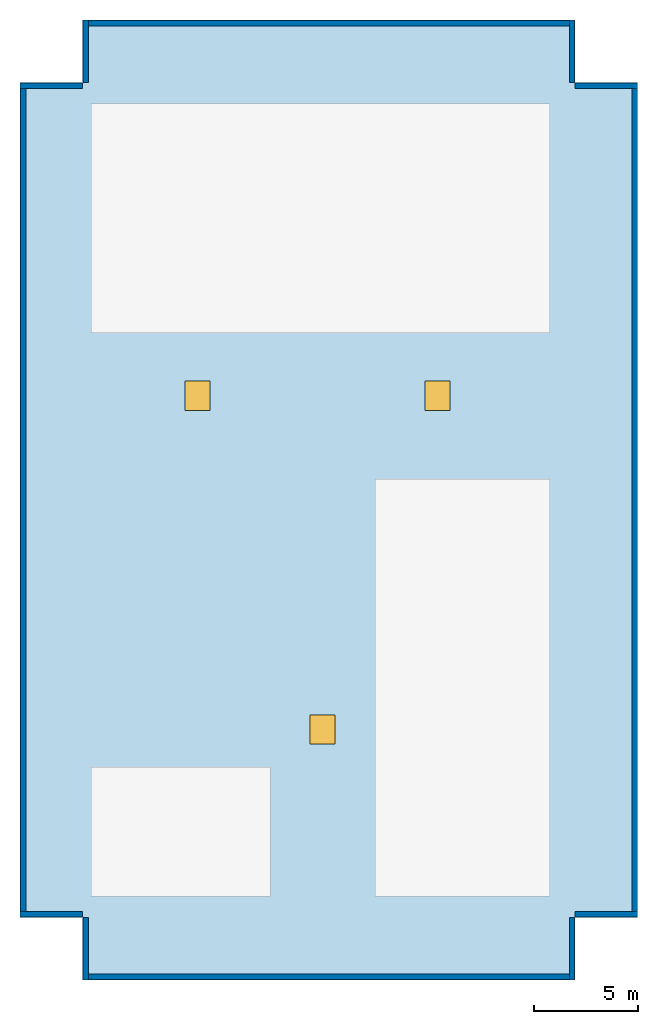
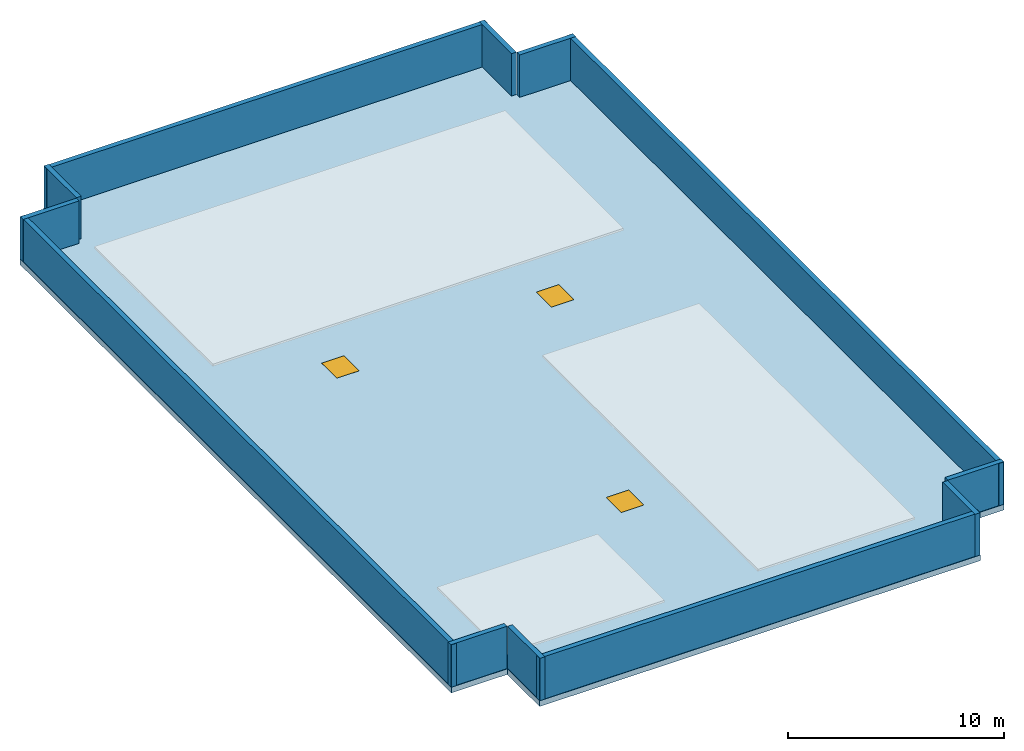
"""IFC4 building model written with IfcOpenShell, lengths in metres."""

from ifc_helpers import new_model, si_unit, direction, frame, frame_2d, origin, origin_2d, place, context, subcontext, project, spatial, polyline, rectangle, outline, extrude, material, layer, layer_set, type_object, element, fill, save


model = new_model("IFC4")

# Units and contexts
model_context = context("Model", 3, precision=1e-05, world=origin(), true_north=direction((0.0, 1.0)))
body_context = subcontext(model_context, "Body", "Model", "MODEL_VIEW")
ifc_project = project(units=[si_unit("LENGTHUNIT", "METRE"), si_unit("AREAUNIT", "SQUARE_METRE"), si_unit("VOLUMEUNIT", "CUBIC_METRE"), si_unit("PLANEANGLEUNIT", "RADIAN"), si_unit("MASSUNIT", "GRAM", prefix="KILO")], contexts=[model_context])

# Site, building, storey
site_placement = place(None, origin())
site = spatial("IfcSite", under=ifc_project, at=site_placement, CompositionType="ELEMENT")
building_placement = place(site_placement, origin())
building = spatial("IfcBuilding", under=site, at=building_placement, Name="Sulina Concourse Tower", CompositionType="ELEMENT")
storey_1_placement = place(building_placement, frame((0.0, 0.0, 323.0)))
storey_1 = spatial("IfcBuildingStorey", under=building, at=storey_1_placement, Name="RF", CompositionType="ELEMENT", Elevation=323.0)

# Slab, openings
ifc_material_1 = material(Name="Concrete C50/60", Category="concrete")
ifc_layer_1 = layer(ifc_material_1, 0.320068359375)
ifc_layer_set_1 = layer_set([ifc_layer_1], Name="Concrete C50/60")
slab_type = type_object("IfcSlabType", Name="Main Crown Flat Roof Slab 320mm", PredefinedType="ROOF", material=ifc_layer_set_1)
slab_placement = place(storey_1_placement, frame((0.0, 0.0, -0.320068359375)))
slab = element("IfcSlab", 1, at=slab_placement, inside=storey_1, type_object=slab_type, Name="RF main crown flat roof slab", PredefinedType="ROOF", context=body_context, shape_type="SweptSolid", body=[
    extrude(outline(polyline([(3.0, 0.0), (26.60009765625, 0.0), (26.60009765625, 3.0), (29.60009765625, 3.0), (29.60009765625, 43.0), (26.60009765625, 43.0), (26.60009765625, 46.0), (3.0, 46.0), (3.0, 43.0), (0.0, 43.0), (0.0, 3.0), (3.0, 3.0), (3.0, 0.0)])), origin(), (0.0, 0.0, 1.0), 0.320068359375),
])
opening_1_placement = place(slab_placement, frame((8.5, 28.0, 0.0)))
opening_1 = element("IfcOpeningElement", 2, at=opening_1_placement, cuts=slab, Name="Opening WN-78", PredefinedType="OPENING", context=body_context, shape_type="SweptSolid", body=[
    extrude(rectangle(XDim=1.199951171875, YDim=1.39990234375, at=origin_2d()), origin(), (0.0, 0.0, 1.0), 0.320068359375),
])
opening_2_placement = place(slab_placement, frame((20.0, 28.0, 0.0)))
opening_2 = element("IfcOpeningElement", 3, at=opening_2_placement, cuts=slab, Name="Opening WN-78", PredefinedType="OPENING", context=body_context, shape_type="SweptSolid", body=[
    extrude(rectangle(XDim=1.199951171875, YDim=1.39990234375, at=origin_2d()), origin(), (0.0, 0.0, 1.0), 0.320068359375),
])
opening_3_placement = place(slab_placement, frame((14.5, 12.0, 0.0)))
opening_3 = element("IfcOpeningElement", 4, at=opening_3_placement, cuts=slab, Name="Opening WN-78", PredefinedType="OPENING", context=body_context, shape_type="SweptSolid", body=[
    extrude(rectangle(XDim=1.199951171875, YDim=1.39990234375, at=origin_2d()), origin(), (0.0, 0.0, 1.0), 0.320068359375),
])

# Storey
storey_2_placement = place(building_placement, frame((0.0, 0.0, 317.800048828125)))
storey_2 = spatial("IfcBuildingStorey", under=building, at=storey_2_placement, Name="L77", CompositionType="ELEMENT", Elevation=317.800048828125)

# Window
ifc_material_2 = material(Name="Anodised aluminium insulated hatch", Category="aluminium")
window_type = type_object("IfcWindowType", Name="Insulated Roof Access Hatch 1200x1400", PartitioningType="SINGLE_PANEL", PredefinedType="SKYLIGHT", material=ifc_material_2)
window_1_placement = place(opening_1_placement, frame((0.0, 0.0, 0.27001953125)))
window_1 = element("IfcWindow", 5, at=window_1_placement, inside=storey_2, type_object=window_type, Name="ROOF ACCESS HATCH 1", OverallHeight=1.39990234375, OverallWidth=1.199951171875, PartitioningType="SINGLE_PANEL", PredefinedType="SKYLIGHT", context=body_context, shape_type="SweptSolid", body=[
    extrude(rectangle(XDim=1.199951171875, YDim=1.39990234375, at=origin_2d()), origin(), (0.0, 0.0, 1.0), 0.050048828125),
])

fill(opening_1, window_1)

window_2_placement = place(opening_2_placement, frame((0.0, 0.0, 0.27001953125)))
window_2 = element("IfcWindow", 6, at=window_2_placement, inside=storey_2, type_object=window_type, Name="ROOF ACCESS HATCH 2", OverallHeight=1.39990234375, OverallWidth=1.199951171875, PartitioningType="SINGLE_PANEL", PredefinedType="SKYLIGHT", context=body_context, shape_type="SweptSolid", body=[
    extrude(rectangle(XDim=1.199951171875, YDim=1.39990234375, at=origin_2d()), origin(), (0.0, 0.0, 1.0), 0.050048828125),
])

fill(opening_2, window_2)

window_3_placement = place(opening_3_placement, frame((0.0, 0.0, 0.27001953125)))
window_3 = element("IfcWindow", 7, at=window_3_placement, inside=storey_2, type_object=window_type, Name="ROOF ACCESS HATCH 3", OverallHeight=1.39990234375, OverallWidth=1.199951171875, PartitioningType="SINGLE_PANEL", PredefinedType="SKYLIGHT", context=body_context, shape_type="SweptSolid", body=[
    extrude(rectangle(XDim=1.199951171875, YDim=1.39990234375, at=origin_2d()), origin(), (0.0, 0.0, 1.0), 0.050048828125),
])

fill(opening_3, window_3)

# Walls
ifc_material_3 = material(Name="Precast concrete C50/60", Category="concrete")
ifc_layer_2 = layer(ifc_material_3, 0.260009765625)
ifc_layer_set_2 = layer_set([ifc_layer_2], Name="Precast concrete C50/60")
wall_type = type_object("IfcWallType", Name="Main Roof Precast Parapet Wall 260mm", PredefinedType="PARAPET", material=ifc_layer_set_2)
wall_1_placement = place(storey_1_placement, frame((3.0, 3.14990234375, 0.0), z_axis=(0.0, 0.0, 1.0), x_axis=(-1.0, 0.0, 0.0)))
element("IfcWall", 8, at=wall_1_placement, inside=storey_1, type_object=wall_type, Name="RF crown parapet wall 01", PredefinedType="PARAPET", context=body_context, shape_type="SweptSolid", body=[
    extrude(rectangle(XDim=3.0, YDim=0.260009765625, at=frame_2d((1.5, 0.0))), origin(), (0.0, 0.0, 1.0), 2.39990234375),
])
wall_2_placement = place(storey_1_placement, frame((0.14990234375, 3.0, 0.0), z_axis=(0.0, 0.0, 1.0), x_axis=(0.0, 1.0, 0.0)))
element("IfcWall", 9, at=wall_2_placement, inside=storey_1, type_object=wall_type, Name="RF crown parapet wall 02", PredefinedType="PARAPET", context=body_context, shape_type="SweptSolid", body=[
    extrude(rectangle(XDim=40.0, YDim=0.260009765625, at=frame_2d((20.0, 0.0))), origin(), (0.0, 0.0, 1.0), 2.39990234375),
])
for number, where, z_axis, x_axis, name in (
    (10, (0.0, 42.85009765625, 0.0), (0.0, 0.0, 1.0), (1.0, 0.0, 0.0), "RF crown parapet wall 03"),
    (11, (3.14990234375, 43.0, 0.0), (0.0, 0.0, 1.0), (0.0, 1.0, 0.0), "RF crown parapet wall 04"),
):
    element("IfcWall", number, at=place(storey_1_placement, frame(where, z_axis=z_axis, x_axis=x_axis)), inside=storey_1, type_object=wall_type, Name=name, PredefinedType="PARAPET", context=body_context, shape_type="SweptSolid", body=[
        extrude(rectangle(XDim=3.0, YDim=0.260009765625, at=frame_2d((1.5, 0.0))), origin(), (0.0, 0.0, 1.0), 2.39990234375),
    ])
wall_3_placement = place(storey_1_placement, frame((3.0, 45.85009765625, 0.0), z_axis=(0.0, 0.0, 1.0), x_axis=(1.0, 0.0, 0.0)))
element("IfcWall", 12, at=wall_3_placement, inside=storey_1, type_object=wall_type, Name="RF crown parapet wall 05", PredefinedType="PARAPET", context=body_context, shape_type="SweptSolid", body=[
    extrude(rectangle(XDim=23.60009765625, YDim=0.260009765625, at=frame_2d((11.800048828125, 0.0))), origin(), (0.0, 0.0, 1.0), 2.39990234375),
])
for number, where, z_axis, x_axis, name in (
    (13, (26.449951171875, 46.0, 0.0), (0.0, 0.0, 1.0), (0.0, -1.0, 0.0), "RF crown parapet wall 06"),
    (14, (26.60009765625, 42.85009765625, 0.0), (0.0, 0.0, 1.0), (1.0, 0.0, 0.0), "RF crown parapet wall 07"),
):
    element("IfcWall", number, at=place(storey_1_placement, frame(where, z_axis=z_axis, x_axis=x_axis)), inside=storey_1, type_object=wall_type, Name=name, PredefinedType="PARAPET", context=body_context, shape_type="SweptSolid", body=[
        extrude(rectangle(XDim=3.0, YDim=0.260009765625, at=frame_2d((1.5, 0.0))), origin(), (0.0, 0.0, 1.0), 2.39990234375),
    ])
wall_4_placement = place(storey_1_placement, frame((29.449951171875, 43.0, 0.0), z_axis=(0.0, 0.0, 1.0), x_axis=(0.0, -1.0, 0.0)))
element("IfcWall", 15, at=wall_4_placement, inside=storey_1, type_object=wall_type, Name="RF crown parapet wall 08", PredefinedType="PARAPET", context=body_context, shape_type="SweptSolid", body=[
    extrude(rectangle(XDim=40.0, YDim=0.260009765625, at=frame_2d((20.0, 0.0))), origin(), (0.0, 0.0, 1.0), 2.39990234375),
])
for number, where, z_axis, x_axis, name in (
    (16, (29.60009765625, 3.14990234375, 0.0), (0.0, 0.0, 1.0), (-1.0, 0.0, 0.0), "RF crown parapet wall 09"),
    (17, (26.449951171875, 3.0, 0.0), (0.0, 0.0, 1.0), (0.0, -1.0, 0.0), "RF crown parapet wall 10"),
):
    element("IfcWall", number, at=place(storey_1_placement, frame(where, z_axis=z_axis, x_axis=x_axis)), inside=storey_1, type_object=wall_type, Name=name, PredefinedType="PARAPET", context=body_context, shape_type="SweptSolid", body=[
        extrude(rectangle(XDim=3.0, YDim=0.260009765625, at=frame_2d((1.5, 0.0))), origin(), (0.0, 0.0, 1.0), 2.39990234375),
    ])
wall_5_placement = place(storey_1_placement, frame((26.60009765625, 0.14990234375, 0.0), z_axis=(0.0, 0.0, 1.0), x_axis=(-1.0, 0.0, 0.0)))
element("IfcWall", 18, at=wall_5_placement, inside=storey_1, type_object=wall_type, Name="RF crown parapet wall 11", PredefinedType="PARAPET", context=body_context, shape_type="SweptSolid", body=[
    extrude(rectangle(XDim=23.60009765625, YDim=0.260009765625, at=frame_2d((11.800048828125, 0.0))), origin(), (0.0, 0.0, 1.0), 2.39990234375),
])
wall_6_placement = place(storey_1_placement, frame((3.14990234375, 0.0, 0.0), z_axis=(0.0, 0.0, 1.0), x_axis=(0.0, 1.0, 0.0)))
element("IfcWall", 19, at=wall_6_placement, inside=storey_1, type_object=wall_type, Name="RF crown parapet wall 12", PredefinedType="PARAPET", context=body_context, shape_type="SweptSolid", body=[
    extrude(rectangle(XDim=3.0, YDim=0.260009765625, at=frame_2d((1.5, 0.0))), origin(), (0.0, 0.0, 1.0), 2.39990234375),
])

save(model, "model.ifc")
